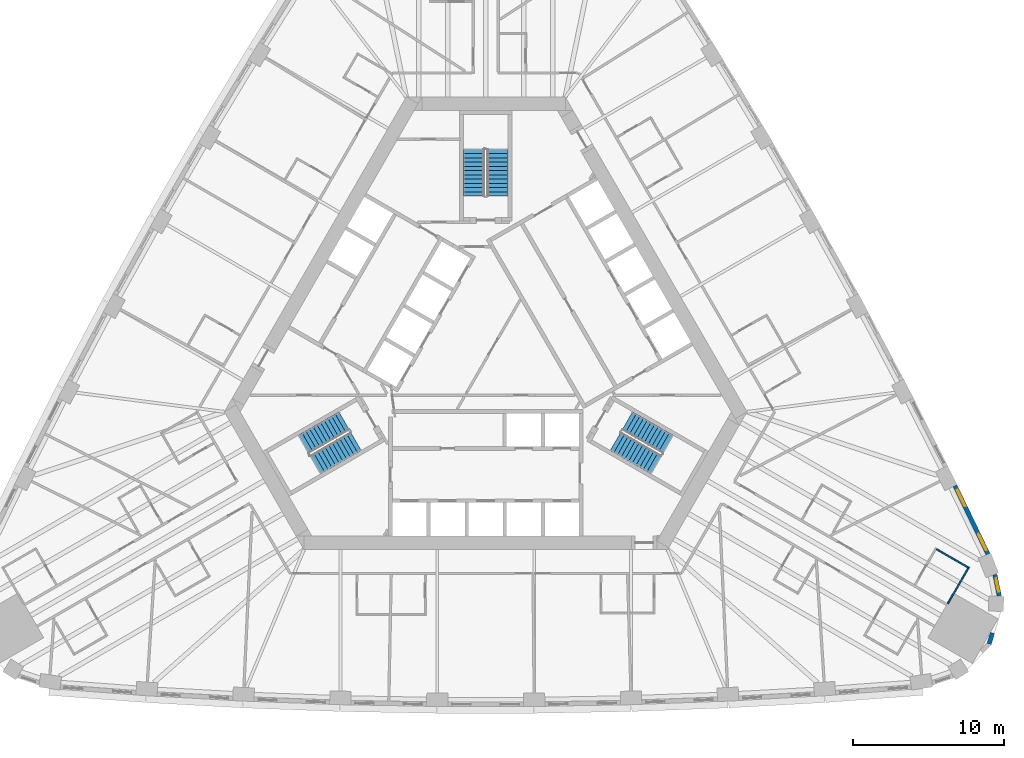
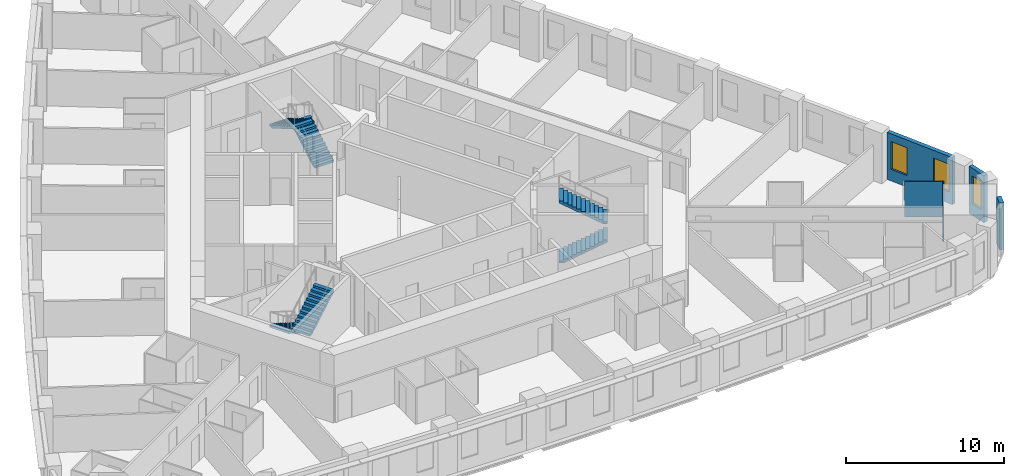
# One storey, part 12 of 13: 6 stair flights, 5 walls, 3 windows, 3 openings, 3 elements without a shape of their own.
"""IFC4 building model written with IfcOpenShell, lengths in metres."""

from ifc_helpers import new_model, si_unit, direction, frame, frame_2d, origin, place, context, subcontext, project, spatial, polyline, rectangle, outline, extrude, material, layer, layer_set, type_object, element, fill, aggregate, save


model = new_model("IFC4")

# Units and contexts
model_context = context("Model", 3, precision=1e-05, world=origin(), true_north=direction((0.0, 1.0)))
body_context = subcontext(model_context, "Body", "Model", "MODEL_VIEW")
ifc_project = project(units=[si_unit("LENGTHUNIT", "METRE"), si_unit("AREAUNIT", "SQUARE_METRE"), si_unit("VOLUMEUNIT", "CUBIC_METRE"), si_unit("PLANEANGLEUNIT", "RADIAN"), si_unit("MASSUNIT", "GRAM", prefix="KILO")], contexts=[model_context])

# Site, building, storey
site_placement = place(None, origin())
site = spatial("IfcSite", under=ifc_project, at=site_placement, CompositionType="ELEMENT")
building_placement = place(site_placement, origin())
building = spatial("IfcBuilding", under=site, at=building_placement, Name="Mestral Congress Tower", CompositionType="ELEMENT")
storey_placement = place(building_placement, frame((0.0, 0.0, 54.89990234375)))
storey = spatial("IfcBuildingStorey", under=building, at=storey_placement, Name="L12", CompositionType="ELEMENT", Elevation=54.89990234375)

# Wall
ifc_material_1 = material(Name="Precast concrete C40/50 with limestone facing", Category="masonry")
ifc_layer_1 = layer(ifc_material_1, 0.2900390625)
ifc_layer_set_1 = layer_set([ifc_layer_1], Name="Precast concrete C40/50 with limestone facing")
wall_type_1 = type_object("IfcWallType", Name="Facade stone wall 290", PredefinedType="SOLIDWALL", material=ifc_layer_set_1)
wall_1_placement = place(storey_placement, frame((33.256591796875, -19.24072265625, 0.0), z_axis=(0.0, 0.0, 1.0), x_axis=(0.278981320915, 0.960296528464, 0.0)))
element("IfcWall", 1, at=wall_1_placement, inside=storey, type_object=wall_type_1, Name="Facade wall K0-2", PredefinedType="SOLIDWALL", context=body_context, shape_type="SweptSolid", body=[
    extrude(rectangle(XDim=0.763916015625, YDim=0.2900390625, at=frame_2d((0.3818359375, 0.0))), origin(), (0.0, 0.0, 1.0), 3.650146484375),
])

# Wall, opening, window
wall_2_placement = place(storey_placement, frame((33.91748046875, -16.043701171875, 0.0), z_axis=(0.0, 0.0, 1.0), x_axis=(-0.198106888228, 0.980180422594, 0.0)))
wall_2 = element("IfcWall", 2, at=wall_2_placement, inside=storey, type_object=wall_type_1, Name="Facade wall K0-3", PredefinedType="SOLIDWALL", context=body_context, shape_type="SweptSolid", body=[
    extrude(rectangle(XDim=1.414794921875, YDim=0.2900390625, at=frame_2d((0.70751953125, 0.0))), origin(), (0.0, 0.0, 1.0), 3.650146484375),
])
opening_1_placement = place(wall_2_placement, frame((0.25732421875, 0.0, 0.89990234375)))
opening_1 = element("IfcOpeningElement", 3, at=opening_1_placement, cuts=wall_2, Name="Opening W3", PredefinedType="OPENING", context=body_context, shape_type="SweptSolid", body=[
    extrude(rectangle(XDim=0.89990234375, YDim=2.14990234375, at=frame_2d((0.449951171875, 1.074951171875))), frame((0.0, 0.155029296875, 0.0), z_axis=(0.0, -1.0, 0.0), x_axis=(1.0, 0.0, 0.0)), (0.0, 0.0, 1.0), 0.31005859375),
])
ifc_material_2 = material(Name="Clear low-emissivity double glazing", Category="glass")
window_type_1 = type_object("IfcWindowType", Name="Facade punched window 900 x 2150 sill 900", PartitioningType="SINGLE_PANEL", PredefinedType="WINDOW", material=ifc_material_2)
window_1_placement = place(opening_1_placement, origin())
window_1 = element("IfcWindow", 4, at=window_1_placement, inside=storey, type_object=window_type_1, Name="Window K0-3", OverallHeight=2.14990234375, OverallWidth=0.89990234375, PartitioningType="SINGLE_PANEL", PredefinedType="WINDOW", context=body_context, shape_type="SweptSolid", body=[
    extrude(rectangle(XDim=0.89990234375, YDim=2.14990234375, at=frame_2d((0.449951171875, 1.074951171875))), frame((0.0, 0.01513671875, 0.0), z_axis=(0.0, -1.0, 0.0), x_axis=(1.0, 0.0, 0.0)), (0.0, 0.0, 1.0), 0.06005859375),
])
fill(opening_1, window_1)

# Wall, openings, windows
wall_3_placement = place(storey_placement, frame((33.176025390625, -13.290283203125, 0.0), z_axis=(0.0, 0.0, 1.0), x_axis=(-0.434664499056, 0.900592456808, 0.0)))
wall_3 = element("IfcWall", 5, at=wall_3_placement, inside=storey, type_object=wall_type_1, Name="Facade wall F1-00", PredefinedType="SOLIDWALL", context=body_context, shape_type="SweptSolid", body=[
    extrude(rectangle(XDim=5.005615234375, YDim=0.2900390625, at=frame_2d((2.5029296875, 0.0))), origin(), (0.0, 0.0, 1.0), 3.650146484375),
])
opening_2_placement = place(wall_3_placement, frame((0.265380859375, 0.0, 0.89990234375)))
opening_2 = element("IfcOpeningElement", 6, at=opening_2_placement, cuts=wall_3, Name="Opening W1", PredefinedType="OPENING", context=body_context, shape_type="SweptSolid", body=[
    extrude(rectangle(XDim=1.199951171875, YDim=2.14990234375, at=frame_2d((0.60009765625, 1.074951171875))), frame((0.0, 0.155029296875, 0.0), z_axis=(0.0, -1.0, 0.0), x_axis=(1.0, 0.0, 0.0)), (0.0, 0.0, 1.0), 0.31005859375),
])
opening_3_placement = place(wall_3_placement, frame((3.49560546875, 0.0, 0.89990234375)))
opening_3 = element("IfcOpeningElement", 7, at=opening_3_placement, cuts=wall_3, Name="Opening W1", PredefinedType="OPENING", context=body_context, shape_type="SweptSolid", body=[
    extrude(rectangle(XDim=1.199951171875, YDim=2.14990234375, at=frame_2d((0.60009765625, 1.074951171875))), frame((0.0, 0.155029296875, 0.0), z_axis=(0.0, -1.0, 0.0), x_axis=(1.0, 0.0, 0.0)), (0.0, 0.0, 1.0), 0.31005859375),
])
window_type_2 = type_object("IfcWindowType", Name="Facade punched window 1200 x 2150 sill 900", PartitioningType="DOUBLE_PANEL_VERTICAL", PredefinedType="WINDOW", material=ifc_material_2)
window_2_placement = place(opening_2_placement, origin())
window_2 = element("IfcWindow", 8, at=window_2_placement, inside=storey, type_object=window_type_2, Name="Window F1-00a", OverallHeight=2.14990234375, OverallWidth=1.199951171875, PartitioningType="DOUBLE_PANEL_VERTICAL", PredefinedType="WINDOW", context=body_context, shape_type="SweptSolid", body=[
    extrude(rectangle(XDim=1.199951171875, YDim=2.14990234375, at=frame_2d((0.60009765625, 1.074951171875))), frame((0.0, 0.01513671875, 0.0), z_axis=(0.0, -1.0, 0.0), x_axis=(1.0, 0.0, 0.0)), (0.0, 0.0, 1.0), 0.06005859375),
])
fill(opening_2, window_2)
window_3_placement = place(opening_3_placement, origin())
window_3 = element("IfcWindow", 9, at=window_3_placement, inside=storey, type_object=window_type_2, Name="Window F1-00b", OverallHeight=2.14990234375, OverallWidth=1.199951171875, PartitioningType="DOUBLE_PANEL_VERTICAL", PredefinedType="WINDOW", context=body_context, shape_type="SweptSolid", body=[
    extrude(rectangle(XDim=1.199951171875, YDim=2.14990234375, at=frame_2d((0.60009765625, 1.074951171875))), frame((0.0, 0.01513671875, 0.0), z_axis=(0.0, -1.0, 0.0), x_axis=(1.0, 0.0, 0.0)), (0.0, 0.0, 1.0), 0.06005859375),
])
fill(opening_3, window_3)

# Walls
ifc_material_3 = material(Name="Gypsum board partition on metal studs with mineral wool", Category="composite")
ifc_layer_2 = layer(ifc_material_3, 0.10009765625)
ifc_layer_set_2 = layer_set([ifc_layer_2], Name="Gypsum board partition on metal studs with mineral wool")
wall_type_2 = type_object("IfcWallType", Name="Hotel partition wall 100", PredefinedType="PARTITIONING", material=ifc_layer_set_2)
wall_4_placement = place(storey_placement, frame((29.770751953125, -12.973388671875, 0.0), z_axis=(0.0, 0.0, 1.0), x_axis=(0.865980596518, -0.500077600433, 0.0)))
element("IfcWall", 10, at=wall_4_placement, inside=storey, type_object=wall_type_2, Name="L12-h-pod09b", PredefinedType="PARTITIONING", context=body_context, shape_type="SweptSolid", body=[
    extrude(rectangle(XDim=2.39990234375, YDim=0.10009765625, at=frame_2d((1.199951171875, 0.0))), origin(), (0.0, 0.0, 1.0), 2.75),
])
wall_5_placement = place(storey_placement, frame((30.517578125, -16.580078125, 0.0), z_axis=(0.0, 0.0, 1.0), x_axis=(0.49998411664, 0.866034573852, 0.0)))
element("IfcWall", 11, at=wall_5_placement, inside=storey, type_object=wall_type_2, Name="L12-h-pod09c", PredefinedType="PARTITIONING", context=body_context, shape_type="SweptSolid", body=[
    extrude(rectangle(XDim=2.7998046875, YDim=0.10009765625, at=frame_2d((1.39990234375, 0.0))), origin(), (0.0, 0.0, 1.0), 2.75),
])

# Stair, stair flights
ifc_material_4 = material(Name="Concrete C60/75", Category="concrete")
stair_type = type_object("IfcStairType", Name="Exit stair 1400", PredefinedType="HALF_TURN_STAIR", material=ifc_material_4)
placement = place(storey_placement, origin())
stair_1 = element("IfcStair", 12, at=placement, inside=storey, type_object=stair_type, Name="L12 ST1", PredefinedType="HALF_TURN_STAIR")
stair_flight_type = type_object("IfcStairFlightType", Name="Exit stair flight 1400", PredefinedType="STRAIGHT", material=ifc_material_4)
stair_flight_1_placement = place(storey_placement, frame((8.575927734375, -5.84619140625, 0.0), z_axis=(0.0, 0.0, 1.0), x_axis=(0.866025403784, -0.5, 0.0)))
stair_flight_1 = element("IfcStairFlight", 13, at=stair_flight_1_placement, type_object=stair_flight_type, Name="ST1 flight 1", NumberOfRisers=12, NumberOfTreads=11, PredefinedType="STRAIGHT", RiserHeight=0.1625, TreadLength=0.28, context=body_context, shape_type="SweptSolid", body=[
    extrude(outline(polyline([(0.0, 0.0), (0.0, 0.16259765625), (0.280029296875, 0.16259765625), (0.280029296875, 0.324951171875), (0.56005859375, 0.324951171875), (0.56005859375, 0.487548828125), (0.840087890625, 0.487548828125), (0.840087890625, 0.64990234375), (1.1201171875, 0.64990234375), (1.1201171875, 0.8125), (1.39990234375, 0.8125), (1.39990234375, 0.97509765625), (1.679931640625, 0.97509765625), (1.679931640625, 1.137451171875), (1.9599609375, 1.137451171875), (1.9599609375, 1.300048828125), (2.239990234375, 1.300048828125), (2.239990234375, 1.46240234375), (2.52001953125, 1.46240234375), (2.52001953125, 1.625), (2.800048828125, 1.625), (2.800048828125, 1.78759765625), (3.080078125, 1.78759765625), (3.080078125, 1.949951171875), (3.080078125, 1.6142578125), (0.298583984375, 0.0), (0.0, 0.0)])), frame((0.0, 0.699951171875, 0.0), z_axis=(0.0, -1.0, 0.0), x_axis=(1.0, 0.0, 0.0)), (0.0, 0.0, 1.0), 1.39990234375),
])
stair_flight_2_placement = place(storey_placement, frame((12.018310546875, -6.0439453125, 1.9501953125), z_axis=(0.0, 0.0, 1.0), x_axis=(-0.866025403784, 0.5, 0.0)))
stair_flight_2 = element("IfcStairFlight", 14, at=stair_flight_2_placement, type_object=stair_flight_type, Name="ST1 flight 2", NumberOfRisers=12, NumberOfTreads=11, PredefinedType="STRAIGHT", RiserHeight=0.1625, TreadLength=0.28, context=body_context, shape_type="SweptSolid", body=[
    extrude(outline(polyline([(0.0, 0.0), (0.0, 0.16259765625), (0.280029296875, 0.16259765625), (0.280029296875, 0.324951171875), (0.56005859375, 0.324951171875), (0.56005859375, 0.487548828125), (0.840087890625, 0.487548828125), (0.840087890625, 0.64990234375), (1.1201171875, 0.64990234375), (1.1201171875, 0.8125), (1.39990234375, 0.8125), (1.39990234375, 0.97509765625), (1.679931640625, 0.97509765625), (1.679931640625, 1.137451171875), (1.9599609375, 1.137451171875), (1.9599609375, 1.300048828125), (2.239990234375, 1.300048828125), (2.239990234375, 1.46240234375), (2.52001953125, 1.46240234375), (2.52001953125, 1.625), (2.800048828125, 1.625), (2.800048828125, 1.78759765625), (3.080078125, 1.78759765625), (3.080078125, 1.949951171875), (3.080078125, 1.6142578125), (0.298583984375, 0.0), (0.0, 0.0)])), frame((0.0, 0.699951171875, 0.0), z_axis=(0.0, -1.0, 0.0), x_axis=(1.0, 0.0, 0.0)), (0.0, 0.0, 1.0), 1.39990234375),
])
aggregate(stair_1, [stair_flight_1, stair_flight_2])

stair_2 = element("IfcStair", 15, at=placement, inside=storey, type_object=stair_type, Name="L12 ST2", PredefinedType="HALF_TURN_STAIR")
stair_flight_3_placement = place(storey_placement, frame((0.77490234375, 10.35009765625, 0.0), z_axis=(0.0, 0.0, 1.0), x_axis=(0.0, 1.0, 0.0)))
stair_flight_3 = element("IfcStairFlight", 16, at=stair_flight_3_placement, type_object=stair_flight_type, Name="ST2 flight 1", NumberOfRisers=12, NumberOfTreads=11, PredefinedType="STRAIGHT", RiserHeight=0.1625, TreadLength=0.28, context=body_context, shape_type="SweptSolid", body=[
    extrude(outline(polyline([(0.0, 0.0), (0.0, 0.16259765625), (0.280029296875, 0.16259765625), (0.280029296875, 0.324951171875), (0.56005859375, 0.324951171875), (0.56005859375, 0.487548828125), (0.840087890625, 0.487548828125), (0.840087890625, 0.64990234375), (1.1201171875, 0.64990234375), (1.1201171875, 0.8125), (1.39990234375, 0.8125), (1.39990234375, 0.97509765625), (1.679931640625, 0.97509765625), (1.679931640625, 1.137451171875), (1.9599609375, 1.137451171875), (1.9599609375, 1.300048828125), (2.239990234375, 1.300048828125), (2.239990234375, 1.46240234375), (2.52001953125, 1.46240234375), (2.52001953125, 1.625), (2.800048828125, 1.625), (2.800048828125, 1.78759765625), (3.080078125, 1.78759765625), (3.080078125, 1.949951171875), (3.080078125, 1.6142578125), (0.298583984375, 0.0), (0.0, 0.0)])), frame((0.0, 0.699951171875, 0.0), z_axis=(0.0, -1.0, 0.0), x_axis=(1.0, 0.0, 0.0)), (0.0, 0.0, 1.0), 1.39990234375),
])
stair_flight_4_placement = place(storey_placement, frame((-0.77490234375, 13.429931640625, 1.9501953125), z_axis=(0.0, 0.0, 1.0), x_axis=(0.0, -1.0, 0.0)))
stair_flight_4 = element("IfcStairFlight", 17, at=stair_flight_4_placement, type_object=stair_flight_type, Name="ST2 flight 2", NumberOfRisers=12, NumberOfTreads=11, PredefinedType="STRAIGHT", RiserHeight=0.1625, TreadLength=0.28, context=body_context, shape_type="SweptSolid", body=[
    extrude(outline(polyline([(0.0, 0.0), (0.0, 0.16259765625), (0.280029296875, 0.16259765625), (0.280029296875, 0.324951171875), (0.56005859375, 0.324951171875), (0.56005859375, 0.487548828125), (0.840087890625, 0.487548828125), (0.840087890625, 0.64990234375), (1.1201171875, 0.64990234375), (1.1201171875, 0.8125), (1.39990234375, 0.8125), (1.39990234375, 0.97509765625), (1.679931640625, 0.97509765625), (1.679931640625, 1.137451171875), (1.9599609375, 1.137451171875), (1.9599609375, 1.300048828125), (2.239990234375, 1.300048828125), (2.239990234375, 1.46240234375), (2.52001953125, 1.46240234375), (2.52001953125, 1.625), (2.800048828125, 1.625), (2.800048828125, 1.78759765625), (3.080078125, 1.78759765625), (3.080078125, 1.949951171875), (3.080078125, 1.6142578125), (0.298583984375, 0.0), (0.0, 0.0)])), frame((0.0, 0.699951171875, 0.0), z_axis=(0.0, -1.0, 0.0), x_axis=(1.0, 0.0, 0.0)), (0.0, 0.0, 1.0), 1.39990234375),
])
aggregate(stair_2, [stair_flight_3, stair_flight_4])

stair_3 = element("IfcStair", 18, at=placement, inside=storey, type_object=stair_type, Name="L12 ST3", PredefinedType="HALF_TURN_STAIR")
stair_flight_5_placement = place(storey_placement, frame((-9.350830078125, -4.50390625, 0.0), z_axis=(0.0, 0.0, 1.0), x_axis=(-0.866025403784, -0.5, 0.0)))
stair_flight_5 = element("IfcStairFlight", 19, at=stair_flight_5_placement, type_object=stair_flight_type, Name="ST3 flight 1", NumberOfRisers=12, NumberOfTreads=11, PredefinedType="STRAIGHT", RiserHeight=0.1625, TreadLength=0.28, context=body_context, shape_type="SweptSolid", body=[
    extrude(outline(polyline([(0.0, 0.0), (0.0, 0.16259765625), (0.280029296875, 0.16259765625), (0.280029296875, 0.324951171875), (0.56005859375, 0.324951171875), (0.56005859375, 0.487548828125), (0.840087890625, 0.487548828125), (0.840087890625, 0.64990234375), (1.1201171875, 0.64990234375), (1.1201171875, 0.8125), (1.39990234375, 0.8125), (1.39990234375, 0.97509765625), (1.679931640625, 0.97509765625), (1.679931640625, 1.137451171875), (1.9599609375, 1.137451171875), (1.9599609375, 1.300048828125), (2.239990234375, 1.300048828125), (2.239990234375, 1.46240234375), (2.52001953125, 1.46240234375), (2.52001953125, 1.625), (2.800048828125, 1.625), (2.800048828125, 1.78759765625), (3.080078125, 1.78759765625), (3.080078125, 1.949951171875), (3.080078125, 1.6142578125), (0.298583984375, 0.0), (0.0, 0.0)])), frame((0.0, 0.699951171875, 0.0), z_axis=(0.0, -1.0, 0.0), x_axis=(1.0, 0.0, 0.0)), (0.0, 0.0, 1.0), 1.39990234375),
])
stair_flight_6_placement = place(storey_placement, frame((-11.2431640625, -7.38623046875, 1.9501953125), z_axis=(0.0, 0.0, 1.0), x_axis=(0.866025403784, 0.5, 0.0)))
stair_flight_6 = element("IfcStairFlight", 20, at=stair_flight_6_placement, type_object=stair_flight_type, Name="ST3 flight 2", NumberOfRisers=12, NumberOfTreads=11, PredefinedType="STRAIGHT", RiserHeight=0.1625, TreadLength=0.28, context=body_context, shape_type="SweptSolid", body=[
    extrude(outline(polyline([(0.0, 0.0), (0.0, 0.16259765625), (0.280029296875, 0.16259765625), (0.280029296875, 0.324951171875), (0.56005859375, 0.324951171875), (0.56005859375, 0.487548828125), (0.840087890625, 0.487548828125), (0.840087890625, 0.64990234375), (1.1201171875, 0.64990234375), (1.1201171875, 0.8125), (1.39990234375, 0.8125), (1.39990234375, 0.97509765625), (1.679931640625, 0.97509765625), (1.679931640625, 1.137451171875), (1.9599609375, 1.137451171875), (1.9599609375, 1.300048828125), (2.239990234375, 1.300048828125), (2.239990234375, 1.46240234375), (2.52001953125, 1.46240234375), (2.52001953125, 1.625), (2.800048828125, 1.625), (2.800048828125, 1.78759765625), (3.080078125, 1.78759765625), (3.080078125, 1.949951171875), (3.080078125, 1.6142578125), (0.298583984375, 0.0), (0.0, 0.0)])), frame((0.0, 0.699951171875, 0.0), z_axis=(0.0, -1.0, 0.0), x_axis=(1.0, 0.0, 0.0)), (0.0, 0.0, 1.0), 1.39990234375),
])
aggregate(stair_3, [stair_flight_5, stair_flight_6])

save(model, "model.ifc")
